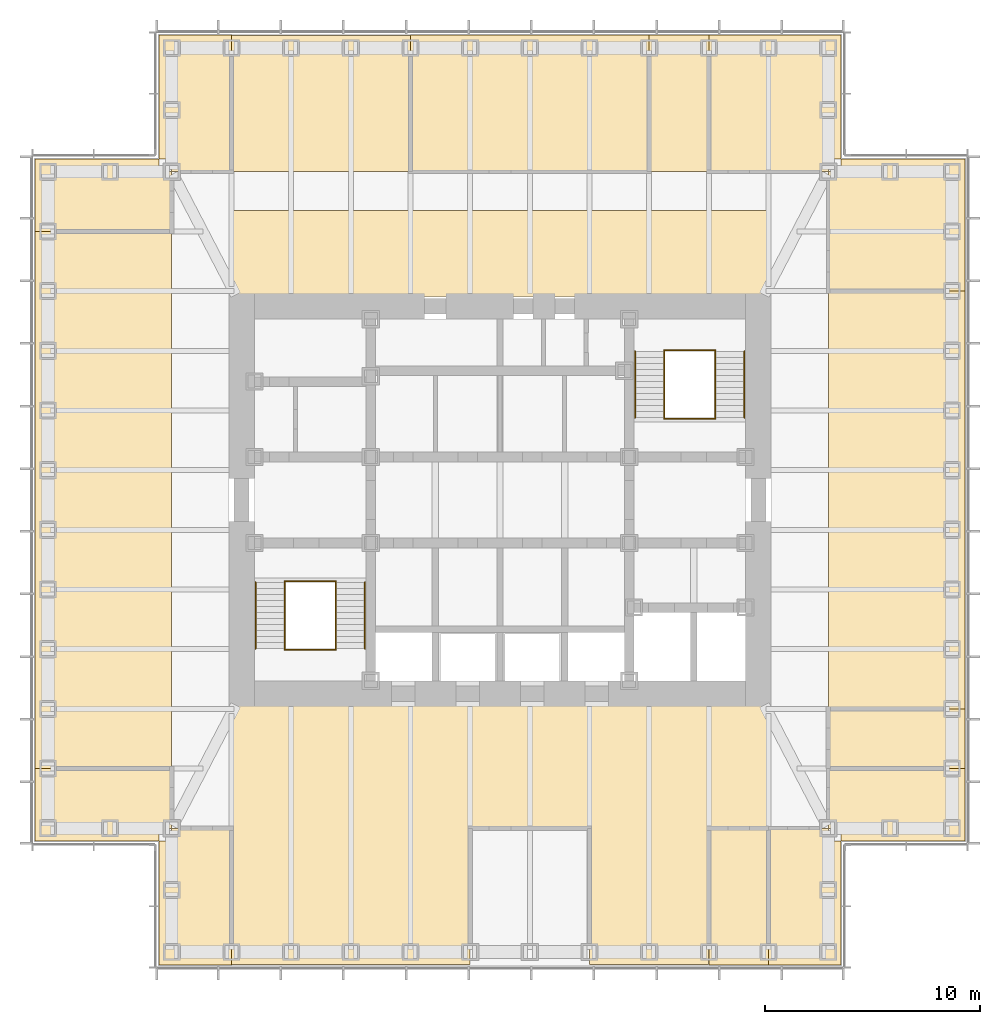
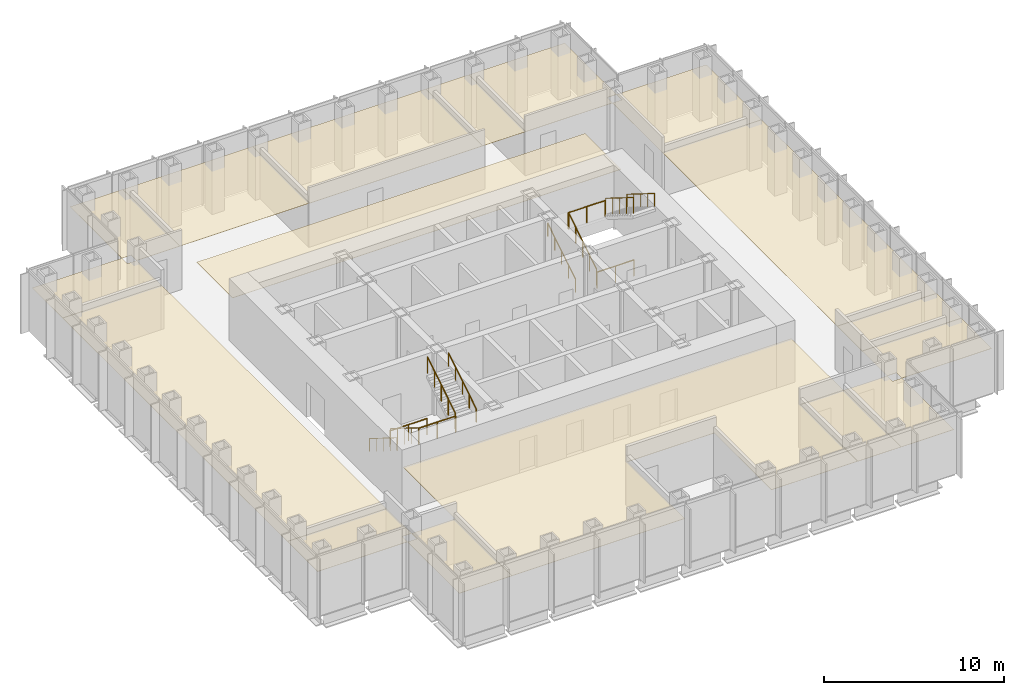
# One storey, part 16 of 16: 17 coverings, 12 railings.
"""IFC4 building model written with IfcOpenShell, lengths in metres."""

from ifc_helpers import new_model, si_unit, direction, frame, origin, origin_2d, place, context, subcontext, project, spatial, polyline, circle, outline, extrude, material, layer, layer_set, type_object, element, save


model = new_model("IFC4")

# Units and contexts
model_context = context("Model", 3, precision=1e-05, world=origin(), true_north=direction((0.0, 1.0)))
body_context = subcontext(model_context, "Body", "Model", "MODEL_VIEW")
ifc_project = project(units=[si_unit("LENGTHUNIT", "METRE"), si_unit("AREAUNIT", "SQUARE_METRE"), si_unit("VOLUMEUNIT", "CUBIC_METRE"), si_unit("PLANEANGLEUNIT", "RADIAN"), si_unit("MASSUNIT", "GRAM", prefix="KILO")], contexts=[model_context])

# Site, building, storey
site_placement = place(None, origin())
site = spatial("IfcSite", under=ifc_project, at=site_placement, CompositionType="ELEMENT")
building_placement = place(site_placement, origin())
building = spatial("IfcBuilding", under=site, at=building_placement, Name="Daluyong Arena Tower", CompositionType="ELEMENT")
storey_placement = place(building_placement, frame((0.0, 0.0, 258.699951171875)))
storey = spatial("IfcBuildingStorey", under=building, at=storey_placement, Name="L58", CompositionType="ELEMENT", Elevation=258.699951171875)

# Coverings
ifc_material_1 = material(Name="Mineral fibre ceiling tile", Category="gypsum board")
ifc_layer = layer(ifc_material_1, 0.02001953125)
ifc_layer_set = layer_set([ifc_layer], Name="Mineral fibre ceiling tile")
covering_type = type_object("IfcCoveringType", Name="Office ceiling", PredefinedType="CEILING", material=ifc_layer_set)
covering_1_placement = place(storey_placement, frame((0.0, 0.0, 2.900146484375)))
element("IfcCovering", 1, at=covering_1_placement, inside=storey, type_object=covering_type, Name="ceiling L58-01", PredefinedType="CEILING", context=body_context, shape_type="SweptSolid", body=[
    extrude(outline(polyline([(40.14990234375, 64.14990234375), (40.14990234375, 58.39990234375), (43.522705078125, 58.39990234375), (43.522705078125, 64.75), (40.75, 64.75), (40.75, 64.14990234375), (40.14990234375, 64.14990234375)])), origin(), (0.0, 0.0, 1.0), 0.02001953125),
])
covering_2_placement = place(storey_placement, frame((0.0, 0.0, 2.900146484375)))
element("IfcCovering", 2, at=covering_2_placement, inside=storey, type_object=covering_type, Name="ceiling L58-03", PredefinedType="CEILING", context=body_context, shape_type="SweptSolid", body=[
    extrude(outline(polyline([(65.70458984375, 64.75), (65.70458984375, 58.39990234375), (68.477294921875, 58.39990234375), (68.477294921875, 64.75), (65.70458984375, 64.75)])), origin(), (0.0, 0.0, 1.0), 0.02001953125),
])
covering_3_placement = place(storey_placement, frame((0.0, 0.0, 2.900146484375)))
element("IfcCovering", 3, at=covering_3_placement, inside=storey, type_object=covering_type, Name="ceiling L58-04", PredefinedType="CEILING", context=body_context, shape_type="SweptSolid", body=[
    extrude(outline(polyline([(71.85009765625, 58.39990234375), (71.85009765625, 64.14990234375), (71.25, 64.14990234375), (71.25, 64.75), (68.477294921875, 64.75), (68.477294921875, 58.39990234375), (71.85009765625, 58.39990234375)])), origin(), (0.0, 0.0, 1.0), 0.02001953125),
])
covering_4_placement = place(storey_placement, frame((0.0, 0.0, 2.900146484375)))
element("IfcCovering", 4, at=covering_4_placement, inside=storey, type_object=covering_type, Name="ceiling L58-05", PredefinedType="CEILING", context=body_context, shape_type="SweptSolid", body=[
    extrude(outline(polyline([(71.85009765625, 64.14990234375), (77.60009765625, 64.14990234375), (77.60009765625, 67.522705078125), (71.25, 67.522705078125), (71.25, 64.75), (71.85009765625, 64.75), (71.85009765625, 64.14990234375)])), origin(), (0.0, 0.0, 1.0), 0.02001953125),
])
covering_5_placement = place(storey_placement, frame((0.0, 0.0, 2.900146484375)))
element("IfcCovering", 5, at=covering_5_placement, inside=storey, type_object=covering_type, Name="ceiling L58-06", PredefinedType="CEILING", context=body_context, shape_type="SweptSolid", body=[
    extrude(outline(polyline([(71.25, 67.522705078125), (77.60009765625, 67.522705078125), (77.60009765625, 70.29541015625), (71.25, 70.29541015625), (71.25, 67.522705078125)])), origin(), (0.0, 0.0, 1.0), 0.02001953125),
])
covering_6_placement = place(storey_placement, frame((0.0, 0.0, 2.900146484375)))
element("IfcCovering", 6, at=covering_6_placement, inside=storey, type_object=covering_type, Name="ceiling L58-07", PredefinedType="CEILING", context=body_context, shape_type="SweptSolid", body=[
    extrude(outline(polyline([(71.25, 89.70458984375), (77.60009765625, 89.70458984375), (77.60009765625, 95.85009765625), (71.85009765625, 95.85009765625), (71.85009765625, 95.25), (71.25, 95.25), (71.25, 89.70458984375)])), origin(), (0.0, 0.0, 1.0), 0.02001953125),
])
covering_7_placement = place(storey_placement, frame((0.0, 0.0, 2.900146484375)))
element("IfcCovering", 7, at=covering_7_placement, inside=storey, type_object=covering_type, Name="ceiling L58-08", PredefinedType="CEILING", context=body_context, shape_type="SweptSolid", body=[
    extrude(outline(polyline([(43.522705078125, 95.25), (43.522705078125, 101.60009765625), (40.14990234375, 101.60009765625), (40.14990234375, 95.85009765625), (40.75, 95.85009765625), (40.75, 95.25), (43.522705078125, 95.25)])), origin(), (0.0, 0.0, 1.0), 0.02001953125),
])
covering_8_placement = place(storey_placement, frame((0.0, 0.0, 2.900146484375)))
element("IfcCovering", 8, at=covering_8_placement, inside=storey, type_object=covering_type, Name="ceiling L58-09", PredefinedType="CEILING", context=body_context, shape_type="SweptSolid", body=[
    extrude(outline(polyline([(62.931884765625, 95.25), (62.931884765625, 101.60009765625), (51.8408203125, 101.60009765625), (51.8408203125, 95.25), (62.931884765625, 95.25)])), origin(), (0.0, 0.0, 1.0), 0.02001953125),
])
covering_9_placement = place(storey_placement, frame((0.0, 0.0, 2.900146484375)))
element("IfcCovering", 9, at=covering_9_placement, inside=storey, type_object=covering_type, Name="ceiling L58-10", PredefinedType="CEILING", context=body_context, shape_type="SweptSolid", body=[
    extrude(outline(polyline([(65.70458984375, 95.25), (71.25, 95.25), (71.25, 95.85009765625), (71.85009765625, 95.85009765625), (71.85009765625, 101.60009765625), (65.70458984375, 101.60009765625), (65.70458984375, 95.25)])), origin(), (0.0, 0.0, 1.0), 0.02001953125),
])
covering_10_placement = place(storey_placement, frame((0.0, 0.0, 2.900146484375)))
element("IfcCovering", 10, at=covering_10_placement, inside=storey, type_object=covering_type, Name="ceiling L58-11", PredefinedType="CEILING", context=body_context, shape_type="SweptSolid", body=[
    extrude(outline(polyline([(34.39990234375, 64.14990234375), (40.14990234375, 64.14990234375), (40.14990234375, 64.75), (40.75, 64.75), (40.75, 67.522705078125), (34.39990234375, 67.522705078125), (34.39990234375, 64.14990234375)])), origin(), (0.0, 0.0, 1.0), 0.02001953125),
])
covering_11_placement = place(storey_placement, frame((0.0, 0.0, 2.900146484375)))
element("IfcCovering", 11, at=covering_11_placement, inside=storey, type_object=covering_type, Name="ceiling L58-12", PredefinedType="CEILING", context=body_context, shape_type="SweptSolid", body=[
    extrude(outline(polyline([(40.75, 92.477294921875), (40.75, 95.25), (40.14990234375, 95.25), (40.14990234375, 95.85009765625), (34.39990234375, 95.85009765625), (34.39990234375, 92.477294921875), (40.75, 92.477294921875)])), origin(), (0.0, 0.0, 1.0), 0.02001953125),
])
covering_12_placement = place(storey_placement, frame((0.0, 0.0, 2.900146484375)))
element("IfcCovering", 12, at=covering_12_placement, inside=storey, type_object=covering_type, Name="ceiling L58-14", PredefinedType="CEILING", context=body_context, shape_type="SweptSolid", body=[
    extrude(outline(polyline([(43.522705078125, 58.39990234375), (43.550048828125, 58.39990234375), (43.550537109375, 58.409912109375), (54.603515625, 58.409912109375), (54.603515625, 64.760009765625), (60.169189453125, 64.760009765625), (60.169189453125, 58.409912109375), (65.694580078125, 58.409912109375), (65.694580078125, 64.760009765625), (68.43994140625, 64.760009765625), (68.43994140625, 70.5400390625), (43.56005859375, 70.5400390625), (43.56005859375, 64.75), (43.522705078125, 64.749755859375), (43.522705078125, 58.39990234375)])), origin(), (0.0, 0.0, 1.0), 0.02001953125),
])
covering_13_placement = place(storey_placement, frame((0.0, 0.0, 2.900146484375)))
element("IfcCovering", 13, at=covering_13_placement, inside=storey, type_object=covering_type, Name="ceiling L58-15", PredefinedType="CEILING", context=body_context, shape_type="SweptSolid", body=[
    extrude(outline(polyline([(77.60009765625, 70.29541015625), (77.60009765625, 89.70458984375), (71.25, 89.70458984375), (71.25, 70.29541015625), (77.60009765625, 70.29541015625)])), origin(), (0.0, 0.0, 1.0), 0.02001953125),
])
covering_14_placement = place(storey_placement, frame((0.0, 0.0, 2.900146484375)))
element("IfcCovering", 14, at=covering_14_placement, inside=storey, type_object=covering_type, Name="ceiling L58-16", PredefinedType="CEILING", context=body_context, shape_type="SweptSolid", body=[
    extrude(outline(polyline([(43.522705078125, 95.25), (43.550048828125, 95.25), (43.550537109375, 95.260009765625), (51.830810546875, 95.260009765625), (51.830810546875, 101.590087890625), (43.550537109375, 101.590087890625), (43.550048828125, 101.60009765625), (43.522705078125, 101.60009765625), (43.522705078125, 95.25)])), origin(), (0.0, 0.0, 1.0), 0.02001953125),
])
covering_15_placement = place(storey_placement, frame((0.0, 0.0, 2.900146484375)))
element("IfcCovering", 15, at=covering_15_placement, inside=storey, type_object=covering_type, Name="ceiling L58-17", PredefinedType="CEILING", context=body_context, shape_type="SweptSolid", body=[
    extrude(outline(polyline([(65.70458984375, 101.60009765625), (62.931884765625, 101.60009765625), (62.931884765625, 95.25), (65.70458984375, 95.25), (65.70458984375, 101.60009765625)])), origin(), (0.0, 0.0, 1.0), 0.02001953125),
])
covering_16_placement = place(storey_placement, frame((0.0, 0.0, 2.900146484375)))
element("IfcCovering", 16, at=covering_16_placement, inside=storey, type_object=covering_type, Name="ceiling L58-18", PredefinedType="CEILING", context=body_context, shape_type="SweptSolid", body=[
    extrude(outline(polyline([(43.550048828125, 93.449951171875), (43.550048828125, 89.449951171875), (68.449951171875, 89.449951171875), (68.449951171875, 93.449951171875), (43.550048828125, 93.449951171875)])), origin(), (0.0, 0.0, 1.0), 0.02001953125),
])
covering_17_placement = place(storey_placement, frame((0.0, 0.0, 2.900146484375)))
element("IfcCovering", 17, at=covering_17_placement, inside=storey, type_object=covering_type, Name="ceiling L58-19", PredefinedType="CEILING", context=body_context, shape_type="SweptSolid", body=[
    extrude(outline(polyline([(40.75, 67.522705078125), (40.75, 92.477294921875), (34.39990234375, 92.477294921875), (34.39990234375, 67.522705078125), (40.75, 67.522705078125)])), origin(), (0.0, 0.0, 1.0), 0.02001953125),
])

# Railings
ifc_material_2 = material(Name="Stainless steel handrail", Category="steel")
railing_type_1 = type_object("IfcRailingType", Name="Stair handrail", PredefinedType="HANDRAIL", material=ifc_material_2)
railing_1_placement = place(storey_placement, frame((44.64990234375, 76.175048828125, 0.175048828125)))
element("IfcRailing", 18, at=railing_1_placement, inside=storey, type_object=railing_type_1, Name="exit stair A handrail L58", PredefinedType="HANDRAIL", context=body_context, shape_type="SweptSolid", body=[
    extrude(circle(Radius=0.02392578125, at=origin_2d()), frame((0.0, 0.0, 0.8759765625), z_axis=(0.0, -0.847998304005, 0.529998940003), x_axis=(1.0, 0.0, 0.0)), (0.0, 0.0, 1.0), 3.632080078125),
    extrude(circle(Radius=0.02099609375, at=origin_2d()), origin(), (0.0, 0.0, 1.0), 0.851806640625),
    extrude(circle(Radius=0.02099609375, at=origin_2d()), frame((0.0, -0.77001953125, 0.481201171875)), (0.0, 0.0, 1.0), 0.851806640625),
    extrude(circle(Radius=0.02099609375, at=origin_2d()), frame((0.0, -1.5400390625, 0.96240234375)), (0.0, 0.0, 1.0), 0.851806640625),
    extrude(circle(Radius=0.02099609375, at=origin_2d()), frame((0.0, -2.31005859375, 1.44384765625)), (0.0, 0.0, 1.0), 0.851806640625),
    extrude(circle(Radius=0.02099609375, at=origin_2d()), frame((0.0, -3.080078125, 1.925048828125)), (0.0, 0.0, 1.0), 0.851806640625),
])
railing_2_placement = place(storey_placement, frame((49.72509765625, 73.094970703125, 2.275146484375)))
element("IfcRailing", 19, at=railing_2_placement, inside=storey, type_object=railing_type_1, Name="exit stair A handrail L58", PredefinedType="HANDRAIL", context=body_context, shape_type="SweptSolid", body=[
    extrude(circle(Radius=0.02392578125, at=origin_2d()), frame((0.0, 0.0, 0.8759765625), z_axis=(0.0, 0.848028513186, 0.529950602248), x_axis=(-1.0, 0.0, 0.0)), (0.0, 0.0, 1.0), 3.632080078125),
    extrude(circle(Radius=0.02099609375, at=origin_2d()), origin(), (0.0, 0.0, 1.0), 0.851806640625),
    extrude(circle(Radius=0.02099609375, at=origin_2d()), frame((0.0, 0.77001953125, 0.481201171875)), (0.0, 0.0, 1.0), 0.851806640625),
    extrude(circle(Radius=0.02099609375, at=origin_2d()), frame((0.0, 1.5400390625, 0.96240234375)), (0.0, 0.0, 1.0), 0.851806640625),
    extrude(circle(Radius=0.02099609375, at=origin_2d()), frame((0.0, 2.31005859375, 1.443603515625)), (0.0, 0.0, 1.0), 0.851806640625),
    extrude(circle(Radius=0.02099609375, at=origin_2d()), frame((0.0, 3.080078125, 1.9248046875)), (0.0, 0.0, 1.0), 0.851806640625),
])
railing_3_placement = place(storey_placement, frame((62.27490234375, 83.824951171875, 0.175048828125)))
element("IfcRailing", 20, at=railing_3_placement, inside=storey, type_object=railing_type_1, Name="exit stair B handrail L58", PredefinedType="HANDRAIL", context=body_context, shape_type="SweptSolid", body=[
    extrude(circle(Radius=0.02392578125, at=origin_2d()), frame((0.0, 0.0, 0.8759765625), z_axis=(0.0, 0.847998304005, 0.529998940003), x_axis=(-1.0, 0.0, 0.0)), (0.0, 0.0, 1.0), 3.632080078125),
    extrude(circle(Radius=0.02099609375, at=origin_2d()), origin(), (0.0, 0.0, 1.0), 0.851806640625),
    extrude(circle(Radius=0.02099609375, at=origin_2d()), frame((0.0, 0.77001953125, 0.481201171875)), (0.0, 0.0, 1.0), 0.851806640625),
    extrude(circle(Radius=0.02099609375, at=origin_2d()), frame((0.0, 1.5400390625, 0.96240234375)), (0.0, 0.0, 1.0), 0.851806640625),
    extrude(circle(Radius=0.02099609375, at=origin_2d()), frame((0.0, 2.31005859375, 1.44384765625)), (0.0, 0.0, 1.0), 0.851806640625),
    extrude(circle(Radius=0.02099609375, at=origin_2d()), frame((0.0, 3.080078125, 1.925048828125)), (0.0, 0.0, 1.0), 0.851806640625),
])
railing_4_placement = place(storey_placement, frame((67.35009765625, 86.905029296875, 2.275146484375)))
element("IfcRailing", 21, at=railing_4_placement, inside=storey, type_object=railing_type_1, Name="exit stair B handrail L58", PredefinedType="HANDRAIL", context=body_context, shape_type="SweptSolid", body=[
    extrude(circle(Radius=0.02392578125, at=origin_2d()), frame((0.0, 0.0, 0.8759765625), z_axis=(0.0, -0.848028513186, 0.529950602248), x_axis=(1.0, 0.0, 0.0)), (0.0, 0.0, 1.0), 3.632080078125),
    extrude(circle(Radius=0.02099609375, at=origin_2d()), origin(), (0.0, 0.0, 1.0), 0.851806640625),
    extrude(circle(Radius=0.02099609375, at=origin_2d()), frame((0.0, -0.77001953125, 0.481201171875)), (0.0, 0.0, 1.0), 0.851806640625),
    extrude(circle(Radius=0.02099609375, at=origin_2d()), frame((0.0, -1.5400390625, 0.96240234375)), (0.0, 0.0, 1.0), 0.851806640625),
    extrude(circle(Radius=0.02099609375, at=origin_2d()), frame((0.0, -2.31005859375, 1.443603515625)), (0.0, 0.0, 1.0), 0.851806640625),
    extrude(circle(Radius=0.02099609375, at=origin_2d()), frame((0.0, -3.080078125, 1.9248046875)), (0.0, 0.0, 1.0), 0.851806640625),
])
ifc_material_3 = material(Name="Steel balustrade", Category="steel")
railing_type_2 = type_object("IfcRailingType", Name="Stair well guard 1100", PredefinedType="GUARDRAIL", material=ifc_material_3)
railing_5_placement = place(storey_placement, frame((46.0, 76.175048828125, 0.175048828125)))
element("IfcRailing", 22, at=railing_5_placement, inside=storey, type_object=railing_type_2, Name="exit stair A well guard L58", PredefinedType="GUARDRAIL", context=body_context, shape_type="SweptSolid", body=[
    extrude(circle(Radius=0.02392578125, at=origin_2d()), frame((0.0, 0.0, 1.076171875), z_axis=(0.0, -0.847998304005, 0.529998940003), x_axis=(1.0, 0.0, 0.0)), (0.0, 0.0, 1.0), 3.632080078125),
    extrude(circle(Radius=0.02099609375, at=origin_2d()), origin(), (0.0, 0.0, 1.0), 1.052001953125),
    extrude(circle(Radius=0.02099609375, at=origin_2d()), frame((0.0, -0.77001953125, 0.481201171875)), (0.0, 0.0, 1.0), 1.052001953125),
    extrude(circle(Radius=0.02099609375, at=origin_2d()), frame((0.0, -1.5400390625, 0.96240234375)), (0.0, 0.0, 1.0), 1.052001953125),
    extrude(circle(Radius=0.02099609375, at=origin_2d()), frame((0.0, -2.31005859375, 1.44384765625)), (0.0, 0.0, 1.0), 1.052001953125),
    extrude(circle(Radius=0.02099609375, at=origin_2d()), frame((0.0, -3.080078125, 1.925048828125)), (0.0, 0.0, 1.0), 1.052001953125),
])
railing_6_placement = place(storey_placement, frame((48.375, 73.094970703125, 2.275146484375)))
element("IfcRailing", 23, at=railing_6_placement, inside=storey, type_object=railing_type_2, Name="exit stair A well guard L58", PredefinedType="GUARDRAIL", context=body_context, shape_type="SweptSolid", body=[
    extrude(circle(Radius=0.02392578125, at=origin_2d()), frame((0.0, 0.0, 1.076171875), z_axis=(0.0, 0.848028513186, 0.529950602248), x_axis=(-1.0, 0.0, 0.0)), (0.0, 0.0, 1.0), 3.632080078125),
    extrude(circle(Radius=0.02099609375, at=origin_2d()), origin(), (0.0, 0.0, 1.0), 1.052001953125),
    extrude(circle(Radius=0.02099609375, at=origin_2d()), frame((0.0, 0.77001953125, 0.481201171875)), (0.0, 0.0, 1.0), 1.052001953125),
    extrude(circle(Radius=0.02099609375, at=origin_2d()), frame((0.0, 1.5400390625, 0.96240234375)), (0.0, 0.0, 1.0), 1.052001953125),
    extrude(circle(Radius=0.02099609375, at=origin_2d()), frame((0.0, 2.31005859375, 1.443603515625)), (0.0, 0.0, 1.0), 1.052001953125),
    extrude(circle(Radius=0.02099609375, at=origin_2d()), frame((0.0, 3.080078125, 1.9248046875)), (0.0, 0.0, 1.0), 1.052001953125),
])
for number, where, name in (
    (24, (46.0, 73.044921875, 2.10009765625), "exit stair A landing guard L58"),
    (25, (46.0, 76.22509765625, 0.0), "exit stair A floor landing guard L58"),
):
    element("IfcRailing", number, at=place(storey_placement, frame(where)), inside=storey, type_object=railing_type_2, Name=name, PredefinedType="GUARDRAIL", context=body_context, shape_type="SweptSolid", body=[
        extrude(circle(Radius=0.02392578125, at=origin_2d()), frame((0.0, 0.0, 1.076171875), z_axis=(1.0, 0.0, 0.0), x_axis=(0.0, 1.0, 0.0)), (0.0, 0.0, 1.0), 2.375),
        extrude(circle(Radius=0.02099609375, at=origin_2d()), origin(), (0.0, 0.0, 1.0), 1.052001953125),
        extrude(circle(Radius=0.02099609375, at=origin_2d()), frame((1.1875, 0.0, 0.0)), (0.0, 0.0, 1.0), 1.052001953125),
        extrude(circle(Radius=0.02099609375, at=origin_2d()), frame((2.375, 0.0, 0.0)), (0.0, 0.0, 1.0), 1.052001953125),
    ])
railing_7_placement = place(storey_placement, frame((63.625, 83.824951171875, 0.175048828125)))
element("IfcRailing", 26, at=railing_7_placement, inside=storey, type_object=railing_type_2, Name="exit stair B well guard L58", PredefinedType="GUARDRAIL", context=body_context, shape_type="SweptSolid", body=[
    extrude(circle(Radius=0.02392578125, at=origin_2d()), frame((0.0, 0.0, 1.076171875), z_axis=(0.0, 0.847998304005, 0.529998940003), x_axis=(-1.0, 0.0, 0.0)), (0.0, 0.0, 1.0), 3.632080078125),
    extrude(circle(Radius=0.02099609375, at=origin_2d()), origin(), (0.0, 0.0, 1.0), 1.052001953125),
    extrude(circle(Radius=0.02099609375, at=origin_2d()), frame((0.0, 0.77001953125, 0.481201171875)), (0.0, 0.0, 1.0), 1.052001953125),
    extrude(circle(Radius=0.02099609375, at=origin_2d()), frame((0.0, 1.5400390625, 0.96240234375)), (0.0, 0.0, 1.0), 1.052001953125),
    extrude(circle(Radius=0.02099609375, at=origin_2d()), frame((0.0, 2.31005859375, 1.44384765625)), (0.0, 0.0, 1.0), 1.052001953125),
    extrude(circle(Radius=0.02099609375, at=origin_2d()), frame((0.0, 3.080078125, 1.925048828125)), (0.0, 0.0, 1.0), 1.052001953125),
])
railing_8_placement = place(storey_placement, frame((66.0, 86.905029296875, 2.275146484375)))
element("IfcRailing", 27, at=railing_8_placement, inside=storey, type_object=railing_type_2, Name="exit stair B well guard L58", PredefinedType="GUARDRAIL", context=body_context, shape_type="SweptSolid", body=[
    extrude(circle(Radius=0.02392578125, at=origin_2d()), frame((0.0, 0.0, 1.076171875), z_axis=(0.0, -0.848028513186, 0.529950602248), x_axis=(1.0, 0.0, 0.0)), (0.0, 0.0, 1.0), 3.632080078125),
    extrude(circle(Radius=0.02099609375, at=origin_2d()), origin(), (0.0, 0.0, 1.0), 1.052001953125),
    extrude(circle(Radius=0.02099609375, at=origin_2d()), frame((0.0, -0.77001953125, 0.481201171875)), (0.0, 0.0, 1.0), 1.052001953125),
    extrude(circle(Radius=0.02099609375, at=origin_2d()), frame((0.0, -1.5400390625, 0.96240234375)), (0.0, 0.0, 1.0), 1.052001953125),
    extrude(circle(Radius=0.02099609375, at=origin_2d()), frame((0.0, -2.31005859375, 1.443603515625)), (0.0, 0.0, 1.0), 1.052001953125),
    extrude(circle(Radius=0.02099609375, at=origin_2d()), frame((0.0, -3.080078125, 1.9248046875)), (0.0, 0.0, 1.0), 1.052001953125),
])
for number, where, name in (
    (28, (63.625, 86.955078125, 2.10009765625), "exit stair B landing guard L58"),
    (29, (63.625, 83.77490234375, 0.0), "exit stair B floor landing guard L58"),
):
    element("IfcRailing", number, at=place(storey_placement, frame(where)), inside=storey, type_object=railing_type_2, Name=name, PredefinedType="GUARDRAIL", context=body_context, shape_type="SweptSolid", body=[
        extrude(circle(Radius=0.02392578125, at=origin_2d()), frame((0.0, 0.0, 1.076171875), z_axis=(1.0, 0.0, 0.0), x_axis=(0.0, 1.0, 0.0)), (0.0, 0.0, 1.0), 2.375),
        extrude(circle(Radius=0.02099609375, at=origin_2d()), origin(), (0.0, 0.0, 1.0), 1.052001953125),
        extrude(circle(Radius=0.02099609375, at=origin_2d()), frame((1.1875, 0.0, 0.0)), (0.0, 0.0, 1.0), 1.052001953125),
        extrude(circle(Radius=0.02099609375, at=origin_2d()), frame((2.375, 0.0, 0.0)), (0.0, 0.0, 1.0), 1.052001953125),
    ])

save(model, "model.ifc")
